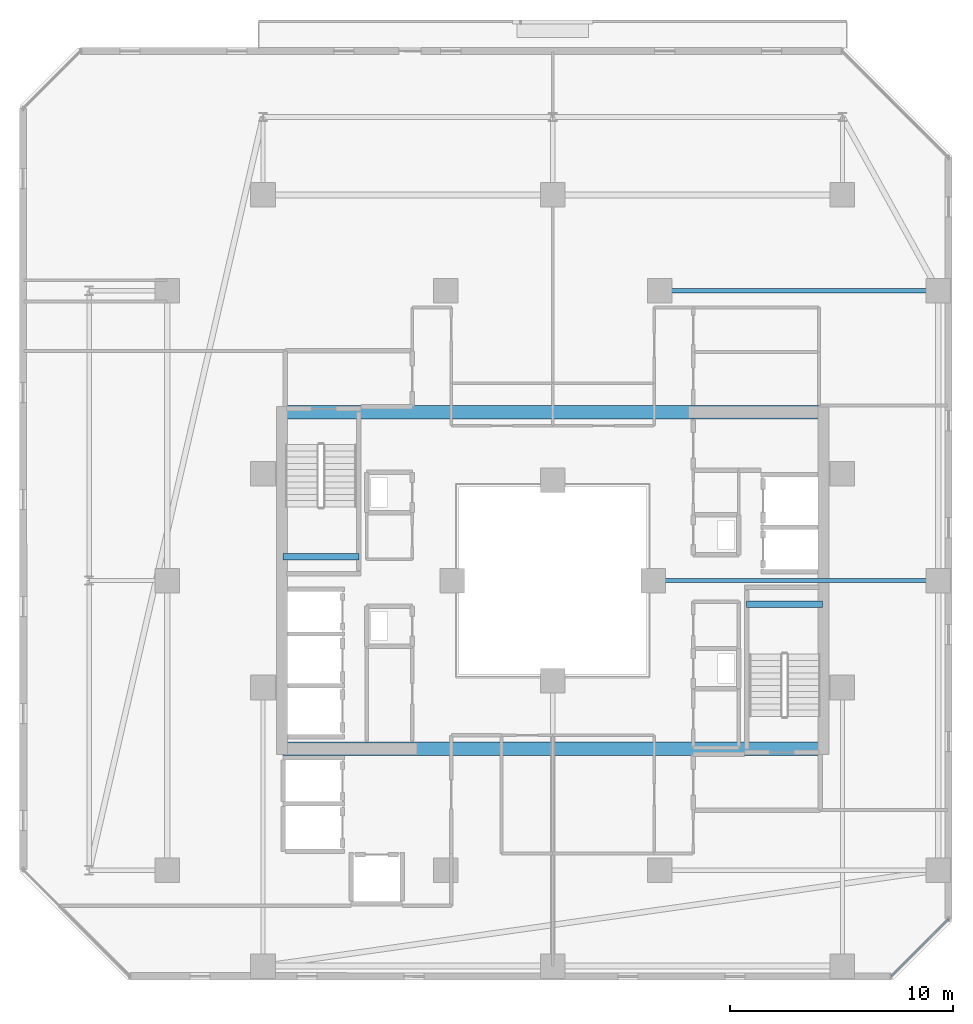
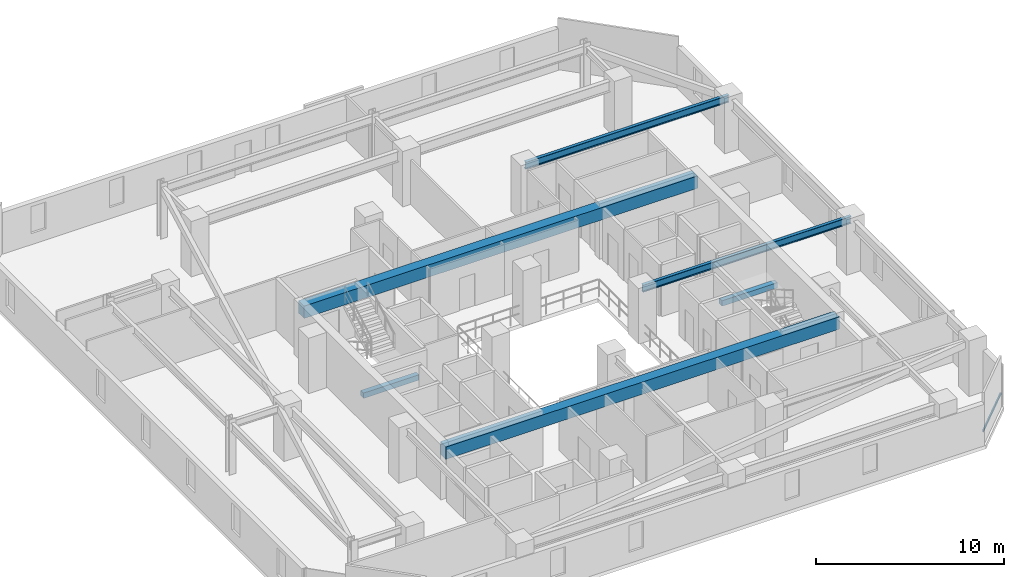
# One storey, part 14 of 33: 6 beams, 1 member, 1 element without a shape of its own.
"""IFC4 building model written with IfcOpenShell, lengths in metres."""

from ifc_helpers import new_model, si_unit, direction, frame, origin, origin_2d, place, context, subcontext, project, spatial, rectangle, hollow_rectangle, i_section, extrude, material, material_profile, profile_set, type_object, element, aggregate, save


model = new_model("IFC4")

# Units and contexts
model_context = context("Model", 3, precision=1e-05, world=origin(), true_north=direction((0.0, 1.0)))
body_context = subcontext(model_context, "Body", "Model", "MODEL_VIEW")
ifc_project = project(units=[si_unit("LENGTHUNIT", "METRE"), si_unit("AREAUNIT", "SQUARE_METRE"), si_unit("VOLUMEUNIT", "CUBIC_METRE"), si_unit("PLANEANGLEUNIT", "RADIAN"), si_unit("MASSUNIT", "GRAM", prefix="KILO")], contexts=[model_context])

# Site, building, storey
site_placement = place(None, origin())
site = spatial("IfcSite", under=ifc_project, at=site_placement, CompositionType="ELEMENT")
building_placement = place(site_placement, origin())
building = spatial("IfcBuilding", under=site, at=building_placement, Name="Thornwick Lancets Civic Towers", CompositionType="ELEMENT")
storey_placement = place(building_placement, frame((0.0, 0.0, 192.89990234375)))
storey = spatial("IfcBuildingStorey", under=building, at=storey_placement, Name="L51", CompositionType="ELEMENT", Elevation=192.89990234375)

# Beams
ifc_material_1 = material(Name="Concrete C60/75", Category="concrete")
ifc_material_profile_1 = material_profile(ifc_material_1, rectangle(XDim=0.60009765625, YDim=0.800048828125, at=origin_2d()), Name="RC 600x800")
ifc_profile_set_1 = profile_set([ifc_material_profile_1], Name="Concrete C60/75")
beam_type_1 = type_object("IfcBeamType", Name="BM_COUP_RC800", PredefinedType="BEAM", material=ifc_profile_set_1)
for number, where, z_axis, x_axis, name in (
    (1, (76.39990234375, 34.550048828125, 2.960205078125), (1.0, 0.0, 0.0), (0.0, 1.0, 0.0), "CB-L51-B1"),
    (2, (76.39990234375, 19.449951171875, 2.960205078125), (1.0, 0.0, 0.0), (0.0, 1.0, 0.0), "CB-L51-B2"),
):
    element("IfcBeam", number, at=place(storey_placement, frame(where, z_axis=z_axis, x_axis=x_axis)), inside=storey, type_object=beam_type_1, Name=name, PredefinedType="BEAM", context=body_context, shape_type="SweptSolid", body=[
        extrude(rectangle(XDim=0.60009765625, YDim=0.800048828125, at=origin_2d()), origin(), (0.0, 0.0, 1.0), 24.2001953125),
    ])
ifc_material_2 = material(Name="Steel S355JR", Category="steel")
ifc_material_profile_2 = material_profile(ifc_material_2, i_section(OverallWidth=0.19189453125, OverallDepth=0.46337890625, WebThickness=0.010498046875, FlangeThickness=0.017578125, FilletRadius=0.01025390625, at=origin_2d()), Name="UKB 457x191x89")
ifc_profile_set_2 = profile_set([ifc_material_profile_2], Name="Steel S355JR")
beam_type_2 = type_object("IfcBeamType", Name="BM_JOIST_457_89", PredefinedType="JOIST", material=ifc_profile_set_2)
beam_1_placement = place(storey_placement, frame((93.0, 27.0, 3.12841796875), z_axis=(1.0, 0.0, 0.0), x_axis=(0.0, 1.0, 0.0)))
element("IfcBeam", 3, at=beam_1_placement, inside=storey, type_object=beam_type_2, Name="BM-RADIN-L51-B02", PredefinedType="JOIST", context=body_context, shape_type="SweptSolid", body=[
    extrude(i_section(OverallWidth=0.19189453125, OverallDepth=0.46337890625, WebThickness=0.010498046875, FlangeThickness=0.017578125, FilletRadius=0.01025390625, at=origin_2d()), origin(), (0.0, 0.0, 1.0), 12.800048828125),
])
beam_2_placement = place(storey_placement, frame((93.300048828125, 40.0, 3.12841796875), z_axis=(1.0, 0.0, 0.0), x_axis=(0.0, 1.0, 0.0)))
element("IfcBeam", 4, at=beam_2_placement, inside=storey, type_object=beam_type_2, Name="BM-RADIN-L51-B03", PredefinedType="JOIST", context=body_context, shape_type="SweptSolid", body=[
    extrude(i_section(OverallWidth=0.19189453125, OverallDepth=0.46337890625, WebThickness=0.010498046875, FlangeThickness=0.017578125, FilletRadius=0.01025390625, at=origin_2d()), origin(), (0.0, 0.0, 1.0), 12.5),
])
ifc_material_3 = material(Name="Concrete C40/50", Category="concrete")
ifc_material_profile_3 = material_profile(ifc_material_3, rectangle(XDim=0.300048828125, YDim=0.35009765625, at=origin_2d()), Name="RC 300x350")
ifc_profile_set_3 = profile_set([ifc_material_profile_3], Name="Concrete C40/50")
beam_type_3 = type_object("IfcBeamType", Name="BM_STAIR_LDG", PredefinedType="BEAM", material=ifc_profile_set_3)
for number, where, z_axis, x_axis, name in (
    (5, (100.60009765625, 25.93505859375, 1.378173828125), (-1.0, 0.0, 0.0), (0.0, -1.0, 0.0), "L51 ST-B1 Landing Support Beam 1"),
    (6, (76.39990234375, 28.06494140625, 1.378173828125), (1.0, 0.0, 0.0), (0.0, 1.0, 0.0), "L51 ST-B2 Landing Support Beam 1"),
):
    element("IfcBeam", number, at=place(storey_placement, frame(where, z_axis=z_axis, x_axis=x_axis)), inside=storey, type_object=beam_type_3, Name=name, PredefinedType="BEAM", context=body_context, shape_type="SweptSolid", body=[
        extrude(rectangle(XDim=0.300048828125, YDim=0.35009765625, at=origin_2d()), origin(), (0.0, 0.0, 1.0), 3.400146484375),
    ])

# Curtain wall, member
ifc_material_4 = material(Name="Mid-zone chamfered-corner unitised glass curtain wall", Category="glass")
curtain_wall_type = type_object("IfcCurtainWallType", Name="CW_SYS_04", PredefinedType="NOTDEFINED", material=ifc_material_4)
curtain_wall_placement = place(storey_placement, origin())
curtain_wall = element("IfcCurtainWall", 7, at=curtain_wall_placement, inside=storey, type_object=curtain_wall_type, Name="L51 Curtain Wall CW-L51-B-E1", PredefinedType="NOTDEFINED")
ifc_material_5 = material(Name="Thermally broken bronze aluminium S355", Category="steel")
ifc_material_profile_4 = material_profile(ifc_material_5, hollow_rectangle(XDim=0.074951171875, YDim=0.14990234375, WallThickness=0.0048828125, at=origin_2d()), Name="RHS 150x75x5")
ifc_profile_set_4 = profile_set([ifc_material_profile_4], Name="Thermally broken bronze aluminium S355")
member_type = type_object("IfcMemberType", Name="CW_TRN_150", PredefinedType="USERDEFINED", material=ifc_profile_set_4)
member_placement = place(storey_placement, frame((103.695556640625, 9.24951171875, 0.85009765625), z_axis=(0.707106781187, 0.707106781187, 0.0), x_axis=(-0.707106781187, 0.707106781187, 0.0)))
member = element("IfcMember", 8, at=member_placement, type_object=member_type, Name="CW-L51-B-E1 Transom 0", ObjectType="TRANSOM", PredefinedType="USERDEFINED", context=body_context, shape_type="SweptSolid", body=[
    extrude(hollow_rectangle(XDim=0.074951171875, YDim=0.14990234375, WallThickness=0.0048828125, at=origin_2d()), origin(), (0.0, 0.0, 1.0), 3.61328125),
])
aggregate(curtain_wall, [member])

save(model, "model.ifc")
